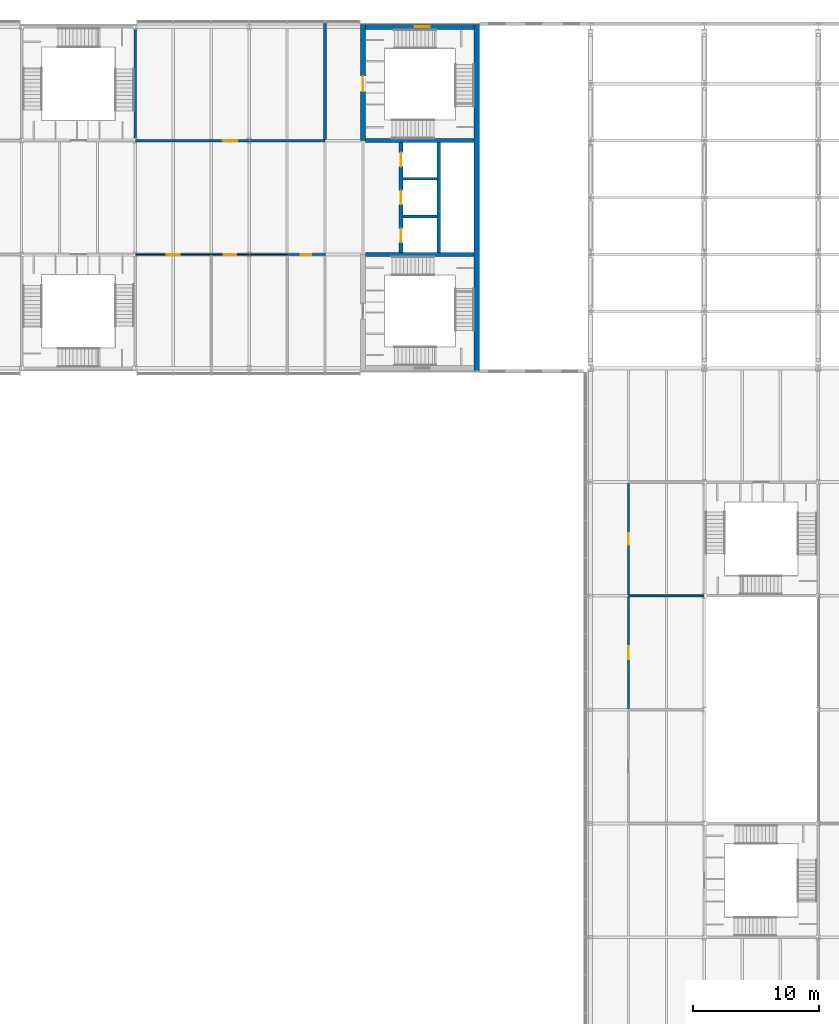
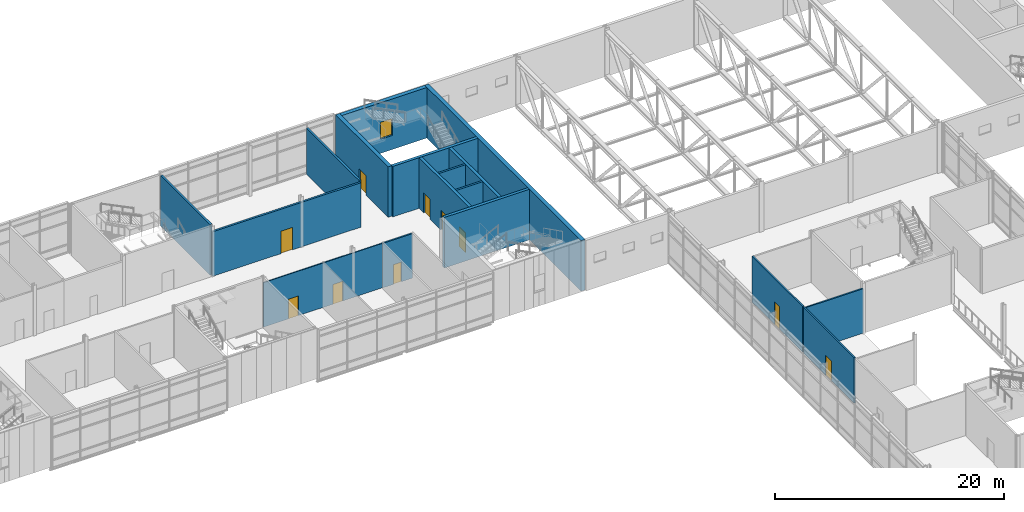
# One storey, part 38 of 53: 17 walls, 10 doors, 1 window, 11 openings.
"""IFC4 building model written with IfcOpenShell, lengths in metres."""

from ifc_helpers import new_model, si_unit, direction, frame, frame_2d, origin, place, context, subcontext, project, spatial, rectangle, extrude, material, layer, layer_set, type_object, element, fill, save


model = new_model("IFC4")

# Units and contexts
model_context = context("Model", 3, precision=1e-05, world=origin(), true_north=direction((0.0, 1.0)))
body_context = subcontext(model_context, "Body", "Model", "MODEL_VIEW")
ifc_project = project(units=[si_unit("LENGTHUNIT", "METRE"), si_unit("AREAUNIT", "SQUARE_METRE"), si_unit("VOLUMEUNIT", "CUBIC_METRE"), si_unit("PLANEANGLEUNIT", "RADIAN"), si_unit("MASSUNIT", "GRAM", prefix="KILO")], contexts=[model_context])

# Site, building, storey
site_placement = place(None, origin())
site = spatial("IfcSite", under=ifc_project, at=site_placement, CompositionType="ELEMENT")
building_placement = place(site_placement, origin())
building = spatial("IfcBuilding", under=site, at=building_placement, Name="Azimuth Sports and Learning Centre", CompositionType="ELEMENT")
storey_placement = place(building_placement, frame((0.0, 0.0, 10.800048828125)))
storey = spatial("IfcBuildingStorey", under=building, at=storey_placement, Name="L02", CompositionType="ELEMENT", Elevation=10.800048828125)

# Walls
ifc_material_1 = material(Name="Dense masonry blockwork", Category="masonry")
ifc_layer_1 = layer(ifc_material_1, 0.199951171875)
ifc_layer_set_1 = layer_set([ifc_layer_1], Name="Dense masonry blockwork")
wall_type_1 = type_object("IfcWallType", Name="Blockwork wall 200 EI 120", PredefinedType="SOLIDWALL", material=ifc_layer_set_1)
for number, where, z_axis, x_axis, name in (
    (1, (57.14990234375, 102.0, 0.0), (0.0, 0.0, 1.0), (1.0, 0.0, 0.0), "SD-W-1-L02"),
    (2, (57.14990234375, 105.0, 0.0), (0.0, 0.0, 1.0), (1.0, 0.0, 0.0), "SD-W-2-L02"),
):
    element("IfcWall", number, at=place(storey_placement, frame(where, z_axis=z_axis, x_axis=x_axis)), inside=storey, type_object=wall_type_1, Name=name, PredefinedType="SOLIDWALL", context=body_context, shape_type="SweptSolid", body=[
        extrude(rectangle(XDim=2.7001953125, YDim=0.199951171875, at=frame_2d((1.35009765625, 0.0))), origin(), (0.0, 0.0, 1.0), 5.39990234375),
    ])

# Wall, openings, doors
ifc_material_2 = material(Name="Gypsum board on steel studs", Category="steel")
ifc_layer_2 = layer(ifc_material_2, 0.10009765625)
ifc_layer_set_2 = layer_set([ifc_layer_2], Name="Gypsum board on steel studs")
wall_type_2 = type_object("IfcWallType", Name="Partition 100 EI 30", PredefinedType="PARTITIONING", material=ifc_layer_set_2)
wall_1_placement = place(storey_placement, frame((36.0, 99.0, 0.0), z_axis=(0.0, 0.0, 1.0), x_axis=(1.0, 0.0, 0.0)))
wall_1 = element("IfcWall", 3, at=wall_1_placement, inside=storey, type_object=wall_type_2, Name="Partition 100 EI 30", PredefinedType="PARTITIONING", context=body_context, shape_type="SweptSolid", body=[
    extrude(rectangle(XDim=12.0, YDim=0.10009765625, at=frame_2d((6.0, 0.0))), origin(), (0.0, 0.0, 1.0), 4.75),
])
opening_1_placement = place(wall_1_placement, frame((2.5, 0.0, 0.0)))
opening_1 = element("IfcOpeningElement", 4, at=opening_1_placement, cuts=wall_1, Name="Opening D02-033", PredefinedType="OPENING", context=body_context, shape_type="SweptSolid", body=[
    extrude(rectangle(XDim=1.0, YDim=2.10009765625, at=frame_2d((0.5, 1.050048828125))), frame((0.0, 0.06103515625, 0.0), z_axis=(0.0, -1.0, 0.0), x_axis=(1.0, 0.0, 0.0)), (0.0, 0.0, 1.0), 0.1220703125),
])
opening_2_placement = place(wall_1_placement, frame((7.0, 0.0, 0.0)))
opening_2 = element("IfcOpeningElement", 5, at=opening_2_placement, cuts=wall_1, Name="Opening D02-034", PredefinedType="OPENING", context=body_context, shape_type="SweptSolid", body=[
    extrude(rectangle(XDim=1.0, YDim=2.10009765625, at=frame_2d((0.5, 1.050048828125))), frame((0.0, 0.06103515625, 0.0), z_axis=(0.0, -1.0, 0.0), x_axis=(1.0, 0.0, 0.0)), (0.0, 0.0, 1.0), 0.1220703125),
])
ifc_material_3 = material(Name="Timber fire door set", Category="wood")
door_type_1 = type_object("IfcDoorType", Name="Timber door single 1000x2100 FD30S", OperationType="NOTDEFINED", PredefinedType="DOOR", material=ifc_material_3)
door_1_placement = place(opening_1_placement, frame((1.0, 0.0, 0.0), z_axis=(0.0, 0.0, 1.0), x_axis=(-1.0, 0.0, 0.0)))
door_1 = element("IfcDoor", 6, at=door_1_placement, inside=storey, type_object=door_type_1, Name="Door D02-033", OperationType="SINGLE_SWING_RIGHT", OverallHeight=2.10009765625, OverallWidth=1.0, PredefinedType="DOOR", context=body_context, shape_type="SweptSolid", body=[
    extrude(rectangle(XDim=1.0, YDim=2.10009765625, at=frame_2d((0.5, 1.050048828125))), frame((0.0, 0.02490234375, 0.0), z_axis=(0.0, -1.0, 0.0), x_axis=(1.0, 0.0, 0.0)), (0.0, 0.0, 1.0), 0.050048828125),
])
fill(opening_1, door_1)
door_2_placement = place(opening_2_placement, frame((1.0, 0.0, 0.0), z_axis=(0.0, 0.0, 1.0), x_axis=(-1.0, 0.0, 0.0)))
door_2 = element("IfcDoor", 7, at=door_2_placement, inside=storey, type_object=door_type_1, Name="Door D02-034", OperationType="SINGLE_SWING_RIGHT", OverallHeight=2.10009765625, OverallWidth=1.0, PredefinedType="DOOR", context=body_context, shape_type="SweptSolid", body=[
    extrude(rectangle(XDim=1.0, YDim=2.10009765625, at=frame_2d((0.5, 1.050048828125))), frame((0.0, 0.02490234375, 0.0), z_axis=(0.0, -1.0, 0.0), x_axis=(1.0, 0.0, 0.0)), (0.0, 0.0, 1.0), 0.050048828125),
])
fill(opening_2, door_2)

# Wall
ifc_material_4 = material(Name="Lightweight blockwork, rendered", Category="masonry")
ifc_layer_3 = layer(ifc_material_4, 0.14990234375)
ifc_layer_set_3 = layer_set([ifc_layer_3], Name="Lightweight blockwork, rendered")
wall_type_3 = type_object("IfcWallType", Name="Partition 150 EI 60", PredefinedType="PARTITIONING", material=ifc_layer_set_3)
wall_2_placement = place(storey_placement, frame((75.0, 72.0, 0.0), z_axis=(0.0, 0.0, 1.0), x_axis=(1.0, 0.0, 0.0)))
element("IfcWall", 8, at=wall_2_placement, inside=storey, type_object=wall_type_3, Name="Partition 150 EI 60", PredefinedType="PARTITIONING", context=body_context, shape_type="SweptSolid", body=[
    extrude(rectangle(XDim=6.0, YDim=0.14990234375, at=frame_2d((3.0, 0.0))), origin(), (0.0, 0.0, 1.0), 4.75),
])

# Wall, opening, door
wall_3_placement = place(storey_placement, frame((48.0, 99.0, 0.0), z_axis=(0.0, 0.0, 1.0), x_axis=(1.0, 0.0, 0.0)))
wall_3 = element("IfcWall", 9, at=wall_3_placement, inside=storey, type_object=wall_type_3, Name="Partition 150 EI 60", PredefinedType="PARTITIONING", context=body_context, shape_type="SweptSolid", body=[
    extrude(rectangle(XDim=3.0, YDim=0.14990234375, at=frame_2d((1.5, 0.0))), origin(), (0.0, 0.0, 1.0), 4.75),
])
opening_3_placement = place(wall_3_placement, frame((1.10009765625, 0.0, 0.0)))
opening_3 = element("IfcOpeningElement", 10, at=opening_3_placement, cuts=wall_3, Name="Opening D02-035", PredefinedType="OPENING", context=body_context, shape_type="SweptSolid", body=[
    extrude(rectangle(XDim=0.800048828125, YDim=2.10009765625, at=frame_2d((0.39990234375, 1.050048828125))), frame((0.0, 0.0859375, 0.0), z_axis=(0.0, -1.0, 0.0), x_axis=(1.0, 0.0, 0.0)), (0.0, 0.0, 1.0), 0.171875),
])
ifc_material_5 = material(Name="Timber fire door set", Category="wood")
door_type_2 = type_object("IfcDoorType", Name="Timber door single 800x2100 FD60", OperationType="NOTDEFINED", PredefinedType="DOOR", material=ifc_material_5)
door_3_placement = place(opening_3_placement, frame((0.800048828125, 0.0, 0.0), z_axis=(0.0, 0.0, 1.0), x_axis=(-1.0, 0.0, 0.0)))
door_3 = element("IfcDoor", 11, at=door_3_placement, inside=storey, type_object=door_type_2, Name="Door D02-035", OperationType="SINGLE_SWING_LEFT", OverallHeight=2.10009765625, OverallWidth=0.800048828125, PredefinedType="DOOR", context=body_context, shape_type="SweptSolid", body=[
    extrude(rectangle(XDim=0.800048828125, YDim=2.10009765625, at=frame_2d((0.39990234375, 1.050048828125))), frame((0.0, 0.02490234375, 0.0), z_axis=(0.0, -1.0, 0.0), x_axis=(1.0, 0.0, 0.0)), (0.0, 0.0, 1.0), 0.050048828125),
])
fill(opening_3, door_3)

wall_4_placement = place(storey_placement, frame((75.0, 63.074951171875, 0.0), z_axis=(0.0, 0.0, 1.0), x_axis=(0.0, 1.0, 0.0)))
wall_4 = element("IfcWall", 12, at=wall_4_placement, inside=storey, type_object=wall_type_3, Name="Partition 150 EI 60", PredefinedType="PARTITIONING", context=body_context, shape_type="SweptSolid", body=[
    extrude(rectangle(XDim=8.85009765625, YDim=0.14990234375, at=frame_2d((4.425048828125, 0.0))), origin(), (0.0, 0.0, 1.0), 4.889892578125),
])
opening_4_placement = place(wall_4_placement, frame((3.925048828125, 0.0, 0.0)))
opening_4 = element("IfcOpeningElement", 13, at=opening_4_placement, cuts=wall_4, Name="Opening D02-056", PredefinedType="OPENING", context=body_context, shape_type="SweptSolid", body=[
    extrude(rectangle(XDim=1.0, YDim=2.10009765625, at=frame_2d((0.5, 1.050048828125))), frame((0.0, 0.0859375, 0.0), z_axis=(0.0, -1.0, 0.0), x_axis=(1.0, 0.0, 0.0)), (0.0, 0.0, 1.0), 0.171875),
])
ifc_material_6 = material(Name="Timber fire door set", Category="wood")
door_type_3 = type_object("IfcDoorType", Name="Timber door single 1000x2100 FD60", OperationType="NOTDEFINED", PredefinedType="DOOR", material=ifc_material_6)
door_4_placement = place(opening_4_placement, frame((1.0, 0.0, 0.0), z_axis=(0.0, 0.0, 1.0), x_axis=(-1.0, 0.0, 0.0)))
door_4 = element("IfcDoor", 14, at=door_4_placement, inside=storey, type_object=door_type_3, Name="Door D02-056", OperationType="SINGLE_SWING_LEFT", OverallHeight=2.10009765625, OverallWidth=1.0, PredefinedType="DOOR", context=body_context, shape_type="SweptSolid", body=[
    extrude(rectangle(XDim=1.0, YDim=2.10009765625, at=frame_2d((0.5, 1.050048828125))), frame((0.0, 0.02490234375, 0.0), z_axis=(0.0, -1.0, 0.0), x_axis=(1.0, 0.0, 0.0)), (0.0, 0.0, 1.0), 0.050048828125),
])
fill(opening_4, door_4)

wall_5_placement = place(storey_placement, frame((75.0, 72.074951171875, 0.0), z_axis=(0.0, 0.0, 1.0), x_axis=(0.0, 1.0, 0.0)))
wall_5 = element("IfcWall", 15, at=wall_5_placement, inside=storey, type_object=wall_type_3, Name="Partition 150 EI 60", PredefinedType="PARTITIONING", context=body_context, shape_type="SweptSolid", body=[
    extrude(rectangle(XDim=8.85009765625, YDim=0.14990234375, at=frame_2d((4.425048828125, 0.0))), origin(), (0.0, 0.0, 1.0), 4.889892578125),
])
opening_5_placement = place(wall_5_placement, frame((3.97509765625, 0.0, 0.0)))
opening_5 = element("IfcOpeningElement", 16, at=opening_5_placement, cuts=wall_5, Name="Opening D02-057", PredefinedType="OPENING", context=body_context, shape_type="SweptSolid", body=[
    extrude(rectangle(XDim=0.89990234375, YDim=2.39990234375, at=frame_2d((0.449951171875, 1.199951171875))), frame((0.0, 0.0859375, 0.0), z_axis=(0.0, -1.0, 0.0), x_axis=(1.0, 0.0, 0.0)), (0.0, 0.0, 1.0), 0.171875),
])
ifc_material_7 = material(Name="Timber fire door set", Category="wood")
door_type_4 = type_object("IfcDoorType", Name="Timber door single 900x2400 FD60", OperationType="NOTDEFINED", PredefinedType="DOOR", material=ifc_material_7)
door_5_placement = place(opening_5_placement, frame((0.89990234375, 0.0, 0.0), z_axis=(0.0, 0.0, 1.0), x_axis=(-1.0, 0.0, 0.0)))
door_5 = element("IfcDoor", 17, at=door_5_placement, inside=storey, type_object=door_type_4, Name="Door D02-057", OperationType="SINGLE_SWING_LEFT", OverallHeight=2.39990234375, OverallWidth=0.89990234375, PredefinedType="DOOR", context=body_context, shape_type="SweptSolid", body=[
    extrude(rectangle(XDim=0.89990234375, YDim=2.39990234375, at=frame_2d((0.449951171875, 1.199951171875))), frame((0.0, 0.02490234375, 0.0), z_axis=(0.0, -1.0, 0.0), x_axis=(1.0, 0.0, 0.0)), (0.0, 0.0, 1.0), 0.050048828125),
])
fill(opening_5, door_5)

ifc_material_8 = material(Name="Reinforced masonry blockwork", Category="masonry")
ifc_layer_4 = layer(ifc_material_8, 0.199951171875)
ifc_layer_set_4 = layer_set([ifc_layer_4], Name="Reinforced masonry blockwork")
wall_type_4 = type_object("IfcWallType", Name="Plant and shaft wall 200 EI 120", PredefinedType="SOLIDWALL", material=ifc_layer_set_4)
wall_6_placement = place(storey_placement, frame((36.0, 108.0, 0.0), z_axis=(0.0, 0.0, 1.0), x_axis=(1.0, 0.0, 0.0)))
wall_6 = element("IfcWall", 18, at=wall_6_placement, inside=storey, type_object=wall_type_4, Name="Plant and shaft wall 200 EI 120", PredefinedType="SOLIDWALL", context=body_context, shape_type="SweptSolid", body=[
    extrude(rectangle(XDim=15.0, YDim=0.199951171875, at=frame_2d((7.5, 0.0))), origin(), (0.0, 0.0, 1.0), 4.75),
])
opening_6_placement = place(wall_6_placement, frame((6.89990234375, 0.0, 0.0)))
opening_6 = element("IfcOpeningElement", 19, at=opening_6_placement, cuts=wall_6, Name="Opening D02-040", PredefinedType="OPENING", context=body_context, shape_type="SweptSolid", body=[
    extrude(rectangle(XDim=1.199951171875, YDim=2.39990234375, at=frame_2d((0.60009765625, 1.199951171875))), frame((0.0, 0.11083984375, 0.0), z_axis=(0.0, -1.0, 0.0), x_axis=(1.0, 0.0, 0.0)), (0.0, 0.0, 1.0), 0.221923828125),
])
ifc_material_9 = material(Name="Steel fire door set", Category="steel")
door_type_5 = type_object("IfcDoorType", Name="Steel door single 1200x2400 FD120", OperationType="NOTDEFINED", PredefinedType="DOOR", material=ifc_material_9)
door_6_placement = place(opening_6_placement, origin())
door_6 = element("IfcDoor", 20, at=door_6_placement, inside=storey, type_object=door_type_5, Name="Door D02-040", OperationType="SINGLE_SWING_LEFT", OverallHeight=2.39990234375, OverallWidth=1.199951171875, PredefinedType="DOOR", context=body_context, shape_type="SweptSolid", body=[
    extrude(rectangle(XDim=1.199951171875, YDim=2.39990234375, at=frame_2d((0.60009765625, 1.199951171875))), frame((0.0, 0.02490234375, 0.0), z_axis=(0.0, -1.0, 0.0), x_axis=(1.0, 0.0, 0.0)), (0.0, 0.0, 1.0), 0.050048828125),
])
fill(opening_6, door_6)

# Walls
wall_7_placement = place(storey_placement, frame((51.0, 108.10009765625, 0.0), z_axis=(0.0, 0.0, 1.0), x_axis=(0.0, 1.0, 0.0)))
element("IfcWall", 21, at=wall_7_placement, inside=storey, type_object=wall_type_4, Name="Plant and shaft wall 200 EI 120", PredefinedType="SOLIDWALL", context=body_context, shape_type="SweptSolid", body=[
    extrude(rectangle(XDim=9.199951171875, YDim=0.199951171875, at=frame_2d((4.60009765625, 0.0))), origin(), (0.0, 0.0, 1.0), 4.919921875),
])
ifc_material_10 = material(Name="Concrete C40/50", Category="concrete")
ifc_layer_5 = layer(ifc_material_10, 0.199951171875)
ifc_layer_set_5 = layer_set([ifc_layer_5], Name="Concrete C40/50")
wall_type_5 = type_object("IfcWallType", Name="RC cell wall 200 EI 120", PredefinedType="SHEAR", material=ifc_layer_set_5)
wall_8_placement = place(storey_placement, frame((36.0, 108.179931640625, 0.0), z_axis=(0.0, 0.0, 1.0), x_axis=(0.0, 1.0, 0.0)))
element("IfcWall", 22, at=wall_8_placement, inside=storey, type_object=wall_type_5, Name="CE-WM2-E-L02", PredefinedType="SHEAR", context=body_context, shape_type="SweptSolid", body=[
    extrude(rectangle(XDim=8.64013671875, YDim=0.199951171875, at=frame_2d((4.320068359375, 0.0))), origin(), (0.0, 0.0, 1.0), 5.39990234375),
])
ifc_material_11 = material(Name="Concrete C40/50", Category="concrete")
ifc_layer_6 = layer(ifc_material_11, 0.300048828125)
ifc_layer_set_6 = layer_set([ifc_layer_6], Name="Concrete C40/50")
wall_type_6 = type_object("IfcWallType", Name="RC core wall 300", PredefinedType="SHEAR", material=ifc_layer_set_6)
for number, where, z_axis, x_axis, name in (
    (23, (54.199951171875, 99.0, 0.0), (0.0, 0.0, 1.0), (1.0, 0.0, 0.0), "Core wall W D1 L02"),
    (24, (54.199951171875, 108.0, 0.0), (0.0, 0.0, 1.0), (1.0, 0.0, 0.0), "Core wall W D2 L02"),
):
    element("IfcWall", number, at=place(storey_placement, frame(where, z_axis=z_axis, x_axis=x_axis)), inside=storey, type_object=wall_type_6, Name=name, PredefinedType="SHEAR", context=body_context, shape_type="SweptSolid", body=[
        extrude(rectangle(XDim=8.60009765625, YDim=0.300048828125, at=frame_2d((4.300048828125, 0.0))), origin(), (0.0, 0.0, 1.0), 5.39990234375),
    ])

# Wall, openings, doors
wall_9_placement = place(storey_placement, frame((57.0, 99.14990234375, 0.0), z_axis=(0.0, 0.0, 1.0), x_axis=(0.0, 1.0, 0.0)))
wall_9 = element("IfcWall", 25, at=wall_9_placement, inside=storey, type_object=wall_type_6, Name="Core wall W LB1 L02", PredefinedType="SHEAR", context=body_context, shape_type="SweptSolid", body=[
    extrude(rectangle(XDim=8.7001953125, YDim=0.300048828125, at=frame_2d((4.35009765625, 0.0))), origin(), (0.0, 0.0, 1.0), 5.39990234375),
])
opening_7_placement = place(wall_9_placement, frame((0.800048828125, 0.0, 0.0)))
opening_7 = element("IfcOpeningElement", 26, at=opening_7_placement, cuts=wall_9, Name="Opening D02-019", PredefinedType="OPENING", context=body_context, shape_type="SweptSolid", body=[
    extrude(rectangle(XDim=1.10009765625, YDim=2.10009765625, at=frame_2d((0.550048828125, 1.050048828125))), frame((0.0, 0.1611328125, 0.0), z_axis=(0.0, -1.0, 0.0), x_axis=(1.0, 0.0, 0.0)), (0.0, 0.0, 1.0), 0.322021484375),
])
opening_8_placement = place(wall_9_placement, frame((3.800048828125, 0.0, 0.0)))
opening_8 = element("IfcOpeningElement", 27, at=opening_8_placement, cuts=wall_9, Name="Opening D02-020", PredefinedType="OPENING", context=body_context, shape_type="SweptSolid", body=[
    extrude(rectangle(XDim=1.10009765625, YDim=2.10009765625, at=frame_2d((0.550048828125, 1.050048828125))), frame((0.0, 0.1611328125, 0.0), z_axis=(0.0, -1.0, 0.0), x_axis=(1.0, 0.0, 0.0)), (0.0, 0.0, 1.0), 0.322021484375),
])
opening_9_placement = place(wall_9_placement, frame((6.800048828125, 0.0, 0.0)))
opening_9 = element("IfcOpeningElement", 28, at=opening_9_placement, cuts=wall_9, Name="Opening D02-021", PredefinedType="OPENING", context=body_context, shape_type="SweptSolid", body=[
    extrude(rectangle(XDim=1.10009765625, YDim=2.10009765625, at=frame_2d((0.550048828125, 1.050048828125))), frame((0.0, 0.1611328125, 0.0), z_axis=(0.0, -1.0, 0.0), x_axis=(1.0, 0.0, 0.0)), (0.0, 0.0, 1.0), 0.322021484375),
])
ifc_material_12 = material(Name="Stainless steel", Category="steel")
door_type_6 = type_object("IfcDoorType", Name="Lift landing door 1100 x 2100", OperationType="DOUBLE_DOOR_SLIDING", PredefinedType="DOOR", material=ifc_material_12)
door_7_placement = place(opening_7_placement, origin())
door_7 = element("IfcDoor", 29, at=door_7_placement, inside=storey, type_object=door_type_6, Name="Landing door LW1 L02", OperationType="DOUBLE_DOOR_SLIDING", OverallHeight=2.10009765625, OverallWidth=1.10009765625, PredefinedType="DOOR", context=body_context, shape_type="SweptSolid", body=[
    extrude(rectangle(XDim=1.10009765625, YDim=2.10009765625, at=frame_2d((0.550048828125, 1.050048828125))), frame((0.0, 0.02490234375, 0.0), z_axis=(0.0, -1.0, 0.0), x_axis=(1.0, 0.0, 0.0)), (0.0, 0.0, 1.0), 0.050048828125),
])
fill(opening_7, door_7)
door_8_placement = place(opening_8_placement, origin())
door_8 = element("IfcDoor", 30, at=door_8_placement, inside=storey, type_object=door_type_6, Name="Landing door LW2 L02", OperationType="DOUBLE_DOOR_SLIDING", OverallHeight=2.10009765625, OverallWidth=1.10009765625, PredefinedType="DOOR", context=body_context, shape_type="SweptSolid", body=[
    extrude(rectangle(XDim=1.10009765625, YDim=2.10009765625, at=frame_2d((0.550048828125, 1.050048828125))), frame((0.0, 0.02490234375, 0.0), z_axis=(0.0, -1.0, 0.0), x_axis=(1.0, 0.0, 0.0)), (0.0, 0.0, 1.0), 0.050048828125),
])
fill(opening_8, door_8)
door_9_placement = place(opening_9_placement, origin())
door_9 = element("IfcDoor", 31, at=door_9_placement, inside=storey, type_object=door_type_6, Name="Landing door LW3 L02", OperationType="DOUBLE_DOOR_SLIDING", OverallHeight=2.10009765625, OverallWidth=1.10009765625, PredefinedType="DOOR", context=body_context, shape_type="SweptSolid", body=[
    extrude(rectangle(XDim=1.10009765625, YDim=2.10009765625, at=frame_2d((0.550048828125, 1.050048828125))), frame((0.0, 0.02490234375, 0.0), z_axis=(0.0, -1.0, 0.0), x_axis=(1.0, 0.0, 0.0)), (0.0, 0.0, 1.0), 0.050048828125),
])
fill(opening_9, door_9)

# Walls
wall_10_placement = place(storey_placement, frame((60.0, 99.14990234375, 0.0), z_axis=(0.0, 0.0, 1.0), x_axis=(0.0, 1.0, 0.0)))
element("IfcWall", 32, at=wall_10_placement, inside=storey, type_object=wall_type_6, Name="Core wall W LB2 L02", PredefinedType="SHEAR", context=body_context, shape_type="SweptSolid", body=[
    extrude(rectangle(XDim=8.7001953125, YDim=0.300048828125, at=frame_2d((4.35009765625, 0.0))), origin(), (0.0, 0.0, 1.0), 5.39990234375),
])
ifc_material_13 = material(Name="Concrete C40/50", Category="concrete")
ifc_layer_7 = layer(ifc_material_13, 0.39990234375)
ifc_layer_set_7 = layer_set([ifc_layer_7], Name="Concrete C40/50")
wall_type_7 = type_object("IfcWallType", Name="RC core wall 400", PredefinedType="SHEAR", material=ifc_layer_set_7)
wall_11_placement = place(storey_placement, frame((63.0, 89.800048828125, 0.0), z_axis=(0.0, 0.0, 1.0), x_axis=(0.0, 1.0, 0.0)))
element("IfcWall", 33, at=wall_11_placement, inside=storey, type_object=wall_type_7, Name="Core wall W E L02", PredefinedType="SHEAR", context=body_context, shape_type="SweptSolid", body=[
    extrude(rectangle(XDim=27.39990234375, YDim=0.39990234375, at=frame_2d((13.699951171875, 0.0))), origin(), (0.0, 0.0, 1.0), 5.39990234375),
])

# Wall, opening, door
wall_12_placement = place(storey_placement, frame((54.0, 108.0, 0.0), z_axis=(0.0, 0.0, 1.0), x_axis=(0.0, 1.0, 0.0)))
wall_12 = element("IfcWall", 34, at=wall_12_placement, inside=storey, type_object=wall_type_7, Name="Core wall W WN L02", PredefinedType="SHEAR", context=body_context, shape_type="SweptSolid", body=[
    extrude(rectangle(XDim=9.199951171875, YDim=0.39990234375, at=frame_2d((4.60009765625, 0.0))), origin(), (0.0, 0.0, 1.0), 5.39990234375),
])
opening_10_placement = place(wall_12_placement, frame((3.89990234375, 0.0, 0.0)))
opening_10 = element("IfcOpeningElement", 35, at=opening_10_placement, cuts=wall_12, Name="Opening D02-002", PredefinedType="OPENING", context=body_context, shape_type="SweptSolid", body=[
    extrude(rectangle(XDim=1.199951171875, YDim=2.10009765625, at=frame_2d((0.60009765625, 1.050048828125))), frame((0.0, 0.2109375, 0.0), z_axis=(0.0, -1.0, 0.0), x_axis=(1.0, 0.0, 0.0)), (0.0, 0.0, 1.0), 0.421875),
])
ifc_material_14 = material(Name="Steel", Category="steel")
door_type_7 = type_object("IfcDoorType", Name="Stair fire door 1200 x 2100", OperationType="NOTDEFINED", PredefinedType="DOOR", material=ifc_material_14)
door_10_placement = place(opening_10_placement, origin())
door_10 = element("IfcDoor", 36, at=door_10_placement, inside=storey, type_object=door_type_7, Name="Stair door W2 L02", OperationType="SINGLE_SWING_LEFT", OverallHeight=2.10009765625, OverallWidth=1.199951171875, PredefinedType="DOOR", context=body_context, shape_type="SweptSolid", body=[
    extrude(rectangle(XDim=1.199951171875, YDim=2.10009765625, at=frame_2d((0.60009765625, 1.050048828125))), frame((0.0, 0.02490234375, 0.0), z_axis=(0.0, -1.0, 0.0), x_axis=(1.0, 0.0, 0.0)), (0.0, 0.0, 1.0), 0.050048828125),
])
fill(opening_10, door_10)

# Wall, opening, window
ifc_material_15 = material(Name="Concrete C40/50", Category="concrete")
ifc_layer_8 = layer(ifc_material_15, 0.39990234375)
ifc_layer_set_8 = layer_set([ifc_layer_8], Name="Concrete C40/50")
wall_type_8 = type_object("IfcWallType", Name="RC external core wall 400", PredefinedType="SHEAR", material=ifc_layer_set_8)
wall_13_placement = place(storey_placement, frame((54.199951171875, 117.0, 0.0), z_axis=(0.0, 0.0, 1.0), x_axis=(1.0, 0.0, 0.0)))
wall_13 = element("IfcWall", 37, at=wall_13_placement, inside=storey, type_object=wall_type_8, Name="Core wall W N L02", PredefinedType="SHEAR", context=body_context, shape_type="SweptSolid", body=[
    extrude(rectangle(XDim=8.60009765625, YDim=0.39990234375, at=frame_2d((4.300048828125, 0.0))), origin(), (0.0, 0.0, 1.0), 5.39990234375),
])
opening_11_placement = place(wall_13_placement, frame((3.89990234375, 0.0, 1.5)))
opening_11 = element("IfcOpeningElement", 38, at=opening_11_placement, cuts=wall_13, Name="Opening W02-019", PredefinedType="OPENING", context=body_context, shape_type="SweptSolid", body=[
    extrude(rectangle(XDim=1.199951171875, YDim=1.800048828125, at=frame_2d((0.60009765625, 0.89990234375))), frame((0.0, 0.2109375, 0.0), z_axis=(0.0, -1.0, 0.0), x_axis=(1.0, 0.0, 0.0)), (0.0, 0.0, 1.0), 0.421875),
])
ifc_material_16 = material(Name="Aluminium and glass", Category="aluminium")
window_type = type_object("IfcWindowType", Name="Stair window podium core 1200x1800", PartitioningType="SINGLE_PANEL", PredefinedType="WINDOW", material=ifc_material_16)
window_placement = place(opening_11_placement, origin())
window = element("IfcWindow", 39, at=window_placement, inside=storey, type_object=window_type, Name="Window W02-019", OverallHeight=1.800048828125, OverallWidth=1.199951171875, PartitioningType="SINGLE_PANEL", PredefinedType="WINDOW", context=body_context, shape_type="SweptSolid", body=[
    extrude(rectangle(XDim=1.199951171875, YDim=1.800048828125, at=frame_2d((0.60009765625, 0.89990234375))), frame((0.0, 0.030029296875, 0.0), z_axis=(0.0, -1.0, 0.0), x_axis=(1.0, 0.0, 0.0)), (0.0, 0.0, 1.0), 0.06005859375),
])
fill(opening_11, window)

save(model, "model.ifc")
